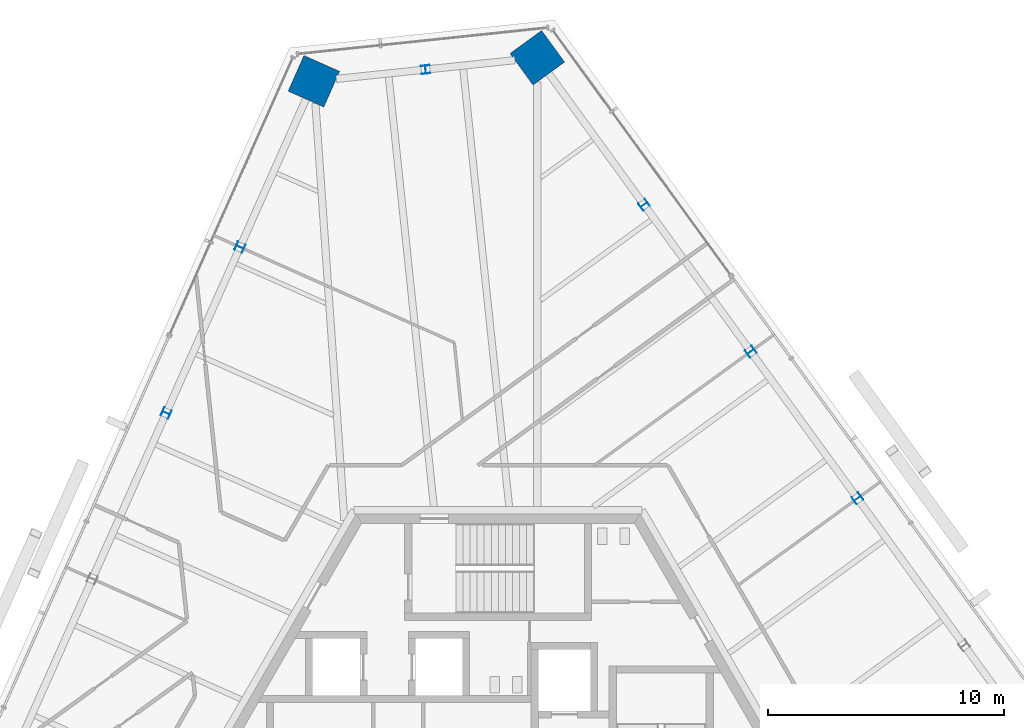
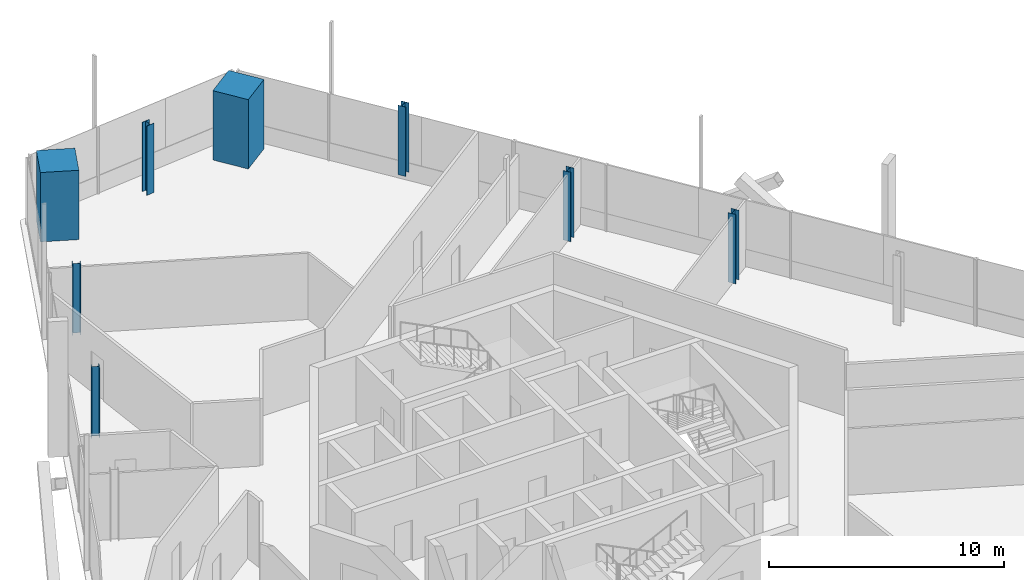
# One storey, part 3 of 20: 8 columns.
"""IFC4 building model written with IfcOpenShell, lengths in metres."""

from ifc_helpers import new_model, si_unit, direction, frame, origin, origin_2d, place, context, subcontext, project, spatial, rectangle, i_section, extrude, source, transform, mapped, material, material_profile, profile_set, type_object, element, save


model = new_model("IFC4")

# Units and contexts
model_context = context("Model", 3, precision=1e-05, world=origin(), true_north=direction((0.0, 1.0)))
body_context = subcontext(model_context, "Body", "Model", "MODEL_VIEW")
ifc_project = project(units=[si_unit("LENGTHUNIT", "METRE"), si_unit("AREAUNIT", "SQUARE_METRE"), si_unit("VOLUMEUNIT", "CUBIC_METRE"), si_unit("PLANEANGLEUNIT", "RADIAN"), si_unit("MASSUNIT", "GRAM", prefix="KILO")], contexts=[model_context])

# Site, building, storey
site_placement = place(None, origin())
site = spatial("IfcSite", under=ifc_project, at=site_placement, CompositionType="ELEMENT")
building_placement = place(site_placement, origin())
building = spatial("IfcBuilding", under=site, at=building_placement, Name="Triune Harvest Tower", CompositionType="ELEMENT")
storey_placement = place(building_placement, frame((0.0, 0.0, 234.10009765625)))
storey = spatial("IfcBuildingStorey", under=building, at=storey_placement, Name="L61", CompositionType="ELEMENT", Elevation=234.10009765625)

# Columns
ifc_material_1 = material(Name="Concrete 70 MPa", Category="concrete")
ifc_material_profile_1 = material_profile(ifc_material_1, rectangle(XDim=1.64990234375, YDim=1.64990234375, at=origin_2d()), Name="Composite 1650x1650")
ifc_profile_set_1 = profile_set([ifc_material_profile_1], Name="Concrete 70 MPa")
column_type_1 = type_object("IfcColumnType", Name="MC-6 Mega column Composite 1650x1650", PredefinedType="COLUMN", material=ifc_profile_set_1)
shared_shape_1 = source(origin(), body_context, "Body", "SweptSolid", [
    extrude(rectangle(XDim=1.64990234375, YDim=1.64990234375, at=origin_2d()), origin(), (0.0, 0.0, 1.0), 3.599853515625),
])
for number, where, z_axis, x_axis, name in (
    (1, (1.658203125, 29.681640625, 0.0), (0.0, 0.0, 1.0), (-0.587785252292, 0.809016994375, 0.0), "col/L61/M6"),
    (2, (-7.793212890625, 28.688232421875, 0.0), (0.0, 0.0, 1.0), (-0.406738237513, -0.913544747752, 0.0), "col/L61/M8"),
):
    element("IfcColumn", number, at=place(storey_placement, frame(where, z_axis=z_axis, x_axis=x_axis)), inside=storey, type_object=column_type_1, Name=name, PredefinedType="COLUMN", context=body_context, shape_type="MappedRepresentation", body=[
        mapped(shared_shape_1, transform((0.0, 0.0, 0.0), scale=1.0)),
    ])
ifc_material_2 = material(Name="Steel ASTM A992 Gr 50", Category="steel")
ifc_material_profile_2 = material_profile(ifc_material_2, i_section(OverallWidth=0.368408203125, OverallDepth=0.355712890625, WebThickness=0.01123046875, FlangeThickness=0.01806640625, at=origin_2d()), Name="W14x90")
ifc_profile_set_2 = profile_set([ifc_material_profile_2], Name="Steel ASTM A992 Gr 50")
column_type_2 = type_object("IfcColumnType", Name="PC-6 Perimeter column W14x90", PredefinedType="COLUMN", material=ifc_profile_set_2)
shared_shape_2 = source(origin(), body_context, "Body", "SweptSolid", [
    extrude(i_section(OverallWidth=0.368408203125, OverallDepth=0.355712890625, WebThickness=0.01123046875, FlangeThickness=0.01806640625, at=origin_2d()), origin(), (0.0, 0.0, 1.0), 3.599853515625),
])
for number, where, z_axis, x_axis, name in (
    (3, (15.19970703125, 11.043212890625, 0.0), (0.0, 0.0, 1.0), (-0.587785252292, 0.809016994375, 0.0), "col/L61/P3"),
    (4, (10.685791015625, 17.256103515625, 0.0), (0.0, 0.0, 1.0), (-0.587785252292, 0.809016994375, 0.0), "col/L61/P4"),
    (5, (6.172119140625, 23.468994140625, 1.199951171875), (0.0, 0.0, 1.0), (-0.587785252292, 0.809016994375, 0.0), "col/L61/P5"),
    (6, (-3.0673828125, 29.18505859375, 0.0), (0.0, 0.0, 1.0), (-0.994521895368, -0.104528463268, 0.0), "col/L61/P7"),
    (7, (-10.91650390625, 21.6728515625, 0.0), (0.0, 0.0, 1.0), (-0.406738237513, -0.913544747752, 0.0), "col/L61/P9"),
    (8, (-14.0400390625, 14.6572265625, 0.0), (0.0, 0.0, 1.0), (-0.406738237513, -0.913544747752, 0.0), "col/L61/P10"),
):
    element("IfcColumn", number, at=place(storey_placement, frame(where, z_axis=z_axis, x_axis=x_axis)), inside=storey, type_object=column_type_2, Name=name, PredefinedType="COLUMN", context=body_context, shape_type="MappedRepresentation", body=[
        mapped(shared_shape_2, transform((0.0, 0.0, 0.0), scale=1.0)),
    ])

save(model, "model.ifc")
